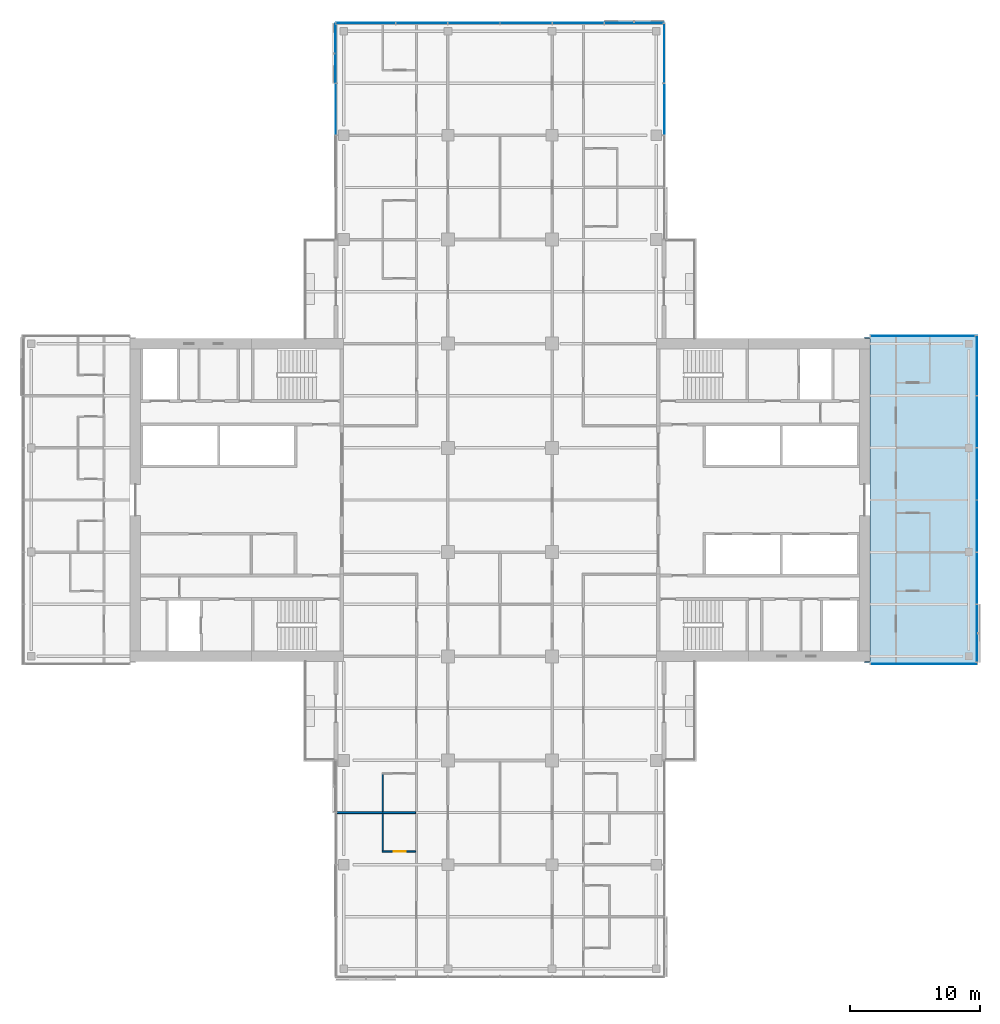
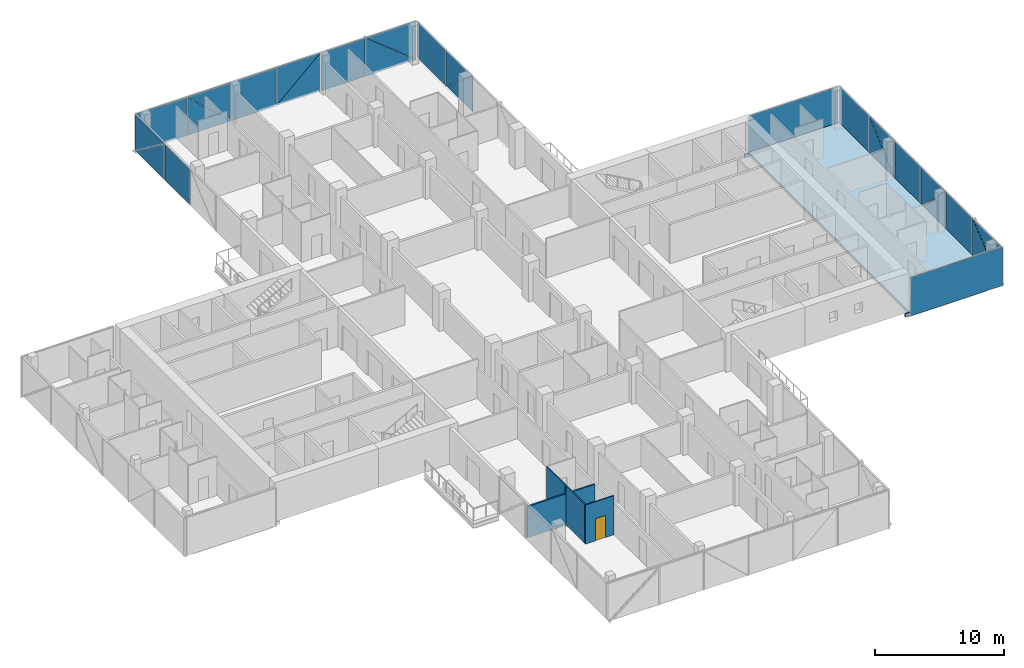
# One storey, part 13 of 25: 26 plates, 4 walls, 1 door, 1 slab, 1 opening, 6 elements without a shape of their own.
"""IFC4 building model written with IfcOpenShell, lengths in metres."""

import ifcopenshell
import ifcopenshell.guid

model = None  # the IFC model being written
_history = None  # IfcOwnerHistory: only IFC2X3 demands one
_inside = {}  # id of a spatial element -> (the spatial element, [elements in it])
_under = {}  # id of a project, library or spatial element -> (it, [spatial elements below it])
_declared = {}  # id of a project -> (the project, [libraries it declares])
_typed = {}  # id of a type object -> (the type object, [elements of that type])
_made_of = {}  # id of a material, layer set ... -> (it, [elements and type objects made of it])


def new_model(schema):
    """Start an empty IFC model of exactly this schema.

    Asked for "IFC4X3", IfcOpenShell would pick the latest addendum, in which some entities
    have other attributes; the version numbers below select the first issue.
    IFC2X3 requires an IfcOwnerHistory on every rooted entity: one is made here for all.
    """
    global model, _history
    if schema == "IFC4X3":
        model = ifcopenshell.file(schema_version=(4, 3, 0, 0))
    else:
        model = ifcopenshell.file(schema=schema)
    _inside.clear()
    _under.clear()
    _declared.clear()
    _typed.clear()
    _made_of.clear()
    _history = None
    if model.schema == "IFC2X3":
        org = make("IfcOrganization", Name="unknown")
        user = make(
            "IfcPersonAndOrganization",
            ThePerson=make("IfcPerson", FamilyName="unknown"),
            TheOrganization=org,
        )
        app = make(
            "IfcApplication",
            ApplicationDeveloper=org,
            Version="unknown",
            ApplicationFullName="unknown",
            ApplicationIdentifier="unknown",
        )
        _history = make(
            "IfcOwnerHistory",
            OwningUser=user,
            OwningApplication=app,
            ChangeAction="ADDED",
            CreationDate=0,
        )
    return model


def make(cls, **values):
    """One entity of the class cls with the attributes given. An attribute that is None is left unset."""
    return model.create_entity(
        cls, **{name: value for name, value in values.items() if value is not None}
    )


def rooted(cls, **values):
    """An entity with a GlobalId (a new one), such as an element, a storey or a relation."""
    return make(cls, GlobalId=ifcopenshell.guid.new(), OwnerHistory=_history, **values)


def si_unit(unit_type, name, prefix=None):
    """IfcSIUnit, for example si_unit("LENGTHUNIT", "METRE", prefix="MILLI")."""
    return make("IfcSIUnit", UnitType=unit_type, Prefix=prefix, Name=name)


def assignment(units):
    """IfcUnitAssignment: the units of a project."""
    return None if units is None else make("IfcUnitAssignment", Units=units)


def point(xyz):
    """IfcCartesianPoint."""
    return None if xyz is None else make("IfcCartesianPoint", Coordinates=xyz)


def direction(xyz):
    """IfcDirection."""
    return None if xyz is None else make("IfcDirection", DirectionRatios=xyz)


def frame(location, z_axis=None, x_axis=None):
    """IfcAxis2Placement3D, a coordinate frame: its origin and axes. An axis left out is left unset."""
    return make(
        "IfcAxis2Placement3D",
        Location=point(location),
        Axis=direction(z_axis),
        RefDirection=direction(x_axis),
    )


def frame_2d(location, x_axis=None):
    """IfcAxis2Placement2D, a coordinate frame in the plane: its origin and x axis."""
    return make(
        "IfcAxis2Placement2D", Location=point(location), RefDirection=direction(x_axis)
    )


def origin():
    """The frame at (0, 0, 0) with its axes left unset."""
    return frame((0.0, 0.0, 0.0))


def place(relative_to, where):
    """IfcLocalPlacement: puts the frame where relative to a parent placement (None: the world)."""
    return make(
        "IfcLocalPlacement", PlacementRelTo=relative_to, RelativePlacement=where
    )


def context(
    kind, dimensions, precision=None, world=None, true_north=None, identifier=None
):
    """IfcGeometricRepresentationContext, for example the 3D "Model" context."""
    return make(
        "IfcGeometricRepresentationContext",
        ContextIdentifier=identifier,
        ContextType=kind,
        CoordinateSpaceDimension=dimensions,
        Precision=precision,
        WorldCoordinateSystem=world,
        TrueNorth=true_north,
    )


def subcontext(parent, identifier, kind, view, scale=None):
    """IfcGeometricRepresentationSubContext, for example "Body" below "Model"."""
    return make(
        "IfcGeometricRepresentationSubContext",
        ContextIdentifier=identifier,
        ContextType=kind,
        ParentContext=parent,
        TargetScale=scale,
        TargetView=view,
    )


def project(units=None, contexts=None):
    """IfcProject with its units and contexts."""
    return rooted(
        "IfcProject",
        Name="project",
        RepresentationContexts=contexts,
        UnitsInContext=assignment(units),
    )


def spatial(cls, under=None, at=None, **own):
    """A site, building, storey or space (cls), placed at a placement, below another one or the project."""
    s = rooted(cls, ObjectPlacement=at, **own)
    if under is not None:
        _under.setdefault(under.id(), (under, []))[1].append(s)
    return s


def polyline(points):
    """IfcPolyline through the points."""
    return make("IfcPolyline", Points=[point(p) for p in points])


def profile(cls, at=None, kind="AREA", **sizes):
    """A parametric profile (cls). Its sizes go by their IFC names, for example OverallWidth=200.0."""
    return make(cls, ProfileType=kind, Position=at, **sizes)


def rectangle(**sizes):
    """IfcRectangleProfileDef."""
    return profile("IfcRectangleProfileDef", **sizes)


def outline(outer, holes=None, kind="AREA"):
    """IfcArbitraryClosedProfileDef: a profile drawn as a closed curve; with holes, ...WithVoids."""
    if holes is None:
        return make("IfcArbitraryClosedProfileDef", ProfileType=kind, OuterCurve=outer)
    return make(
        "IfcArbitraryProfileDefWithVoids",
        ProfileType=kind,
        OuterCurve=outer,
        InnerCurves=holes,
    )


def extrude(swept, where, along, depth):
    """IfcExtrudedAreaSolid: the profile swept, set in the frame where, extruded along a direction by depth."""
    return make(
        "IfcExtrudedAreaSolid",
        SweptArea=swept,
        Position=where,
        ExtrudedDirection=direction(along),
        Depth=depth,
    )


def shape(context_of_items, identifier, shape_type, items):
    """IfcShapeRepresentation: the items that make up one representation, for example the "Body"."""
    return make(
        "IfcShapeRepresentation",
        ContextOfItems=context_of_items,
        RepresentationIdentifier=identifier,
        RepresentationType=shape_type,
        Items=items,
    )


def material(Name=None, Category=None):
    """IfcMaterial."""
    return make("IfcMaterial", Name=Name, Category=Category)


def layer(
    of_material, thickness, ventilated=None, Name=None, Category=None, Priority=None
):
    """IfcMaterialLayer: one layer of a wall or slab, of a material (None: an air gap)."""
    return make(
        "IfcMaterialLayer",
        Material=of_material,
        LayerThickness=thickness,
        IsVentilated=ventilated,
        Name=Name,
        Category=Category,
        Priority=Priority,
    )


def layer_set(layers, Name=None):
    """IfcMaterialLayerSet."""
    return make("IfcMaterialLayerSet", MaterialLayers=layers, LayerSetName=Name)


def made_of(thing, what):
    """Note that an element or type object is made of a material, layer set ...; save() writes the relation."""
    if what is not None:
        _made_of.setdefault(what.id(), (what, []))[1].append(thing)
    return thing


def type_object(cls, material=None, **own):
    """A type object (cls), such as IfcWallType, which elements share."""
    return made_of(rooted(cls, **own), material)


def element(
    cls,
    number,
    at=None,
    inside=None,
    cuts=None,
    type_object=None,
    material=None,
    context=None,
    identifier="Body",
    shape_type=None,
    held_by="IfcProductDefinitionShape",
    body=None,
    shapes=None,
    **own,
):
    """One element of the class cls, such as IfcWall. Its Tag is "e" and its number.

    at: its placement. inside: the storey or other place that contains it. cuts: it is an
    opening in that element (IfcRelVoidsElement). A single representation is given by context,
    identifier, shape_type and body (its items); several are given by shapes. held_by: the class
    of the entity that holds the representations. save() writes the other relations.
    """
    e = rooted(cls, Tag="e%d" % number, ObjectPlacement=at, **own)
    if body is not None:
        shapes = [shape(context, identifier, shape_type, body)]
    if shapes is not None:
        e.Representation = make(held_by, Representations=shapes)
    if inside is not None:
        _inside.setdefault(inside.id(), (inside, []))[1].append(e)
    if cuts is not None:
        rooted(
            "IfcRelVoidsElement", RelatingBuildingElement=cuts, RelatedOpeningElement=e
        )
    if type_object is not None:
        _typed.setdefault(type_object.id(), (type_object, []))[1].append(e)
    return made_of(e, material)


def fill(opening, filler):
    """IfcRelFillsElement: the door or window that sits in an opening."""
    return rooted(
        "IfcRelFillsElement",
        RelatingOpeningElement=opening,
        RelatedBuildingElement=filler,
    )


def aggregate(whole, parts):
    """IfcRelAggregates: a whole, such as a stair, and the parts it consists of."""
    return rooted("IfcRelAggregates", RelatingObject=whole, RelatedObjects=parts)


def save(model, path):
    """Write the relations noted so far, then the file.

    IfcRelAggregates (storeys below a building ...), IfcRelContainedInSpatialStructure (elements
    in a storey), IfcRelDefinesByType, IfcRelAssociatesMaterial and IfcRelDeclares: one each for
    every whole, place, type object, material and project.
    """
    for whole, parts in _under.values():
        aggregate(whole, parts)
    for where, things in _inside.values():
        rooted(
            "IfcRelContainedInSpatialStructure",
            RelatedElements=things,
            RelatingStructure=where,
        )
    for kind, things in _typed.values():
        rooted("IfcRelDefinesByType", RelatedObjects=things, RelatingType=kind)
    for what, things in _made_of.values():
        rooted("IfcRelAssociatesMaterial", RelatedObjects=things, RelatingMaterial=what)
    for by, libraries in _declared.values():
        rooted("IfcRelDeclares", RelatingContext=by, RelatedDefinitions=libraries)
    model.write(path)


model = new_model("IFC4")

# Units and contexts
model_context = context("Model", 3, precision=1e-05, world=origin(), true_north=direction((0.0, 1.0)))
body_context = subcontext(model_context, "Body", "Model", "MODEL_VIEW")
ifc_project = project(units=[si_unit("LENGTHUNIT", "METRE"), si_unit("AREAUNIT", "SQUARE_METRE"), si_unit("VOLUMEUNIT", "CUBIC_METRE"), si_unit("PLANEANGLEUNIT", "RADIAN"), si_unit("MASSUNIT", "GRAM", prefix="KILO")], contexts=[model_context])

# Site, building, storey
site_placement = place(None, origin())
site = spatial("IfcSite", under=ifc_project, at=site_placement, CompositionType="ELEMENT")
building_placement = place(site_placement, origin())
building = spatial("IfcBuilding", under=site, at=building_placement, Name="Crosswind Convention Tower", CompositionType="ELEMENT")
storey_placement = place(building_placement, frame((0.0, 0.0, 97.89990234375)))
storey = spatial("IfcBuildingStorey", under=building, at=storey_placement, Name="L19", CompositionType="ELEMENT", Elevation=97.89990234375)

# Slab
ifc_material_1 = material(Name="Concrete C40/50", Category="concrete")
ifc_layer_1 = layer(ifc_material_1, 0.280029296875)
ifc_layer_set_1 = layer_set([ifc_layer_1], Name="Concrete C40/50")
slab_type = type_object("IfcSlabType", Name="Composite floor slab 280", PredefinedType="FLOOR", material=ifc_layer_set_1)
slab_placement = place(storey_placement, frame((0.0, 0.0, -0.27978515625)))
element("IfcSlab", 1, at=slab_placement, inside=storey, type_object=slab_type, Name="Floor slab L19 part 3", PredefinedType="FLOOR", context=body_context, shape_type="SweptSolid", body=[
    extrude(outline(polyline([(153.0, 112.5), (161.0, 112.5), (161.5, 112.5), (161.5, 112.0), (161.5, 88.0), (161.5, 87.5), (161.0, 87.5), (153.0, 87.5), (153.0, 87.60009765625), (153.39990234375, 87.60009765625), (153.39990234375, 112.39990234375), (153.0, 112.39990234375), (153.0, 112.5)])), origin(), (0.0, 0.0, 1.0), 0.27978515625),
])

# Curtain wall, plate
ifc_material_2 = material(Name="Aluminium unitised curtain wall", Category="aluminium")
curtain_wall_type_1 = type_object("IfcCurtainWallType", Name="CORE END SLOT WALL 160", PredefinedType="USERDEFINED", material=ifc_material_2)
curtain_wall_1_placement = place(storey_placement, origin())
curtain_wall_1 = element("IfcCurtainWall", 2, at=curtain_wall_1_placement, inside=storey, type_object=curtain_wall_type_1, Name="CW6 L19 E-N.1-1 slot", ObjectType="UNITISED", PredefinedType="USERDEFINED")
ifc_material_3 = material(Name="Laminated insulating glass unit", Category="glass")
ifc_layer_2 = layer(ifc_material_3, 0.02587890625)
ifc_layer_set_2 = layer_set([ifc_layer_2], Name="TRIANGULAR GLASS PANEL 26")
plate_type_1 = type_object("IfcPlateType", Name="TRIANGULAR GLASS PANEL 26", PredefinedType="CURTAIN_PANEL", material=ifc_layer_set_2)
plate_1_placement = place(storey_placement, frame((161.449951171875, 112.606689453125, -0.27978515625), z_axis=(0.0, 0.999999919464, 0.00040133776), x_axis=(-1.0, 0.0, 0.0)))
plate_1 = element("IfcPlate", 3, at=plate_1_placement, type_object=plate_type_1, Name="CW6 panel 1.1", PredefinedType="CURTAIN_PANEL", context=body_context, shape_type="SweptSolid", body=[
    extrude(outline(polyline([(0.0, 0.0), (8.0, 0.0), (8.0, 3.6499026376985664), (0.0, 3.6499026376985664), (0.0, 0.0)])), origin(), (0.0, 0.0, -1.0), 0.02587890625),
])
aggregate(curtain_wall_1, [plate_1])

curtain_wall_2_placement = place(storey_placement, origin())
curtain_wall_2 = element("IfcCurtainWall", 4, at=curtain_wall_2_placement, inside=storey, type_object=curtain_wall_type_1, Name="CW6 L19 E-S.2-1 slot", ObjectType="UNITISED", PredefinedType="USERDEFINED")
plate_2_placement = place(storey_placement, frame((153.449951171875, 87.393310546875, -0.27978515625), z_axis=(0.0, -0.999999919464, 0.00040133776), x_axis=(1.0, 0.0, 0.0)))
plate_2 = element("IfcPlate", 5, at=plate_2_placement, type_object=plate_type_1, Name="CW6 panel 1.1", PredefinedType="CURTAIN_PANEL", context=body_context, shape_type="SweptSolid", body=[
    extrude(outline(polyline([(0.0, 0.0), (8.199951171875, 0.0), (8.199951171875, 3.6499026376985664), (0.0, 3.6499026376985664), (0.0, 0.0)])), origin(), (0.0, 0.0, -1.0), 0.02587890625),
])
aggregate(curtain_wall_2, [plate_2])

# Curtain wall, plates
curtain_wall_type_2 = type_object("IfcCurtainWallType", Name="HOTEL UNITISED WALL 200", PredefinedType="USERDEFINED", material=ifc_material_2)
curtain_wall_3_placement = place(storey_placement, origin())
curtain_wall_3 = element("IfcCurtainWall", 6, at=curtain_wall_3_placement, inside=storey, type_object=curtain_wall_type_2, Name="CW2 L19 E-TIP 1", ObjectType="UNITISED", PredefinedType="USERDEFINED")
ifc_layer_3 = layer(ifc_material_3, 0.028076171875)
ifc_layer_set_3 = layer_set([ifc_layer_3], Name="TRIANGULAR GLASS PANEL 28")
plate_type_2 = type_object("IfcPlateType", Name="TRIANGULAR GLASS PANEL 28", PredefinedType="CURTAIN_PANEL", material=ifc_layer_set_3)
plate_3_placement = place(storey_placement, frame((161.628662109375, 91.967529296875, -0.27978515625), z_axis=(0.999999918211, 0.0, 0.000404448905), x_axis=(-0.000404448905, 0.0, 0.999999918211)))
plate_3 = element("IfcPlate", 7, at=plate_3_placement, type_object=plate_type_2, Name="CW2 panel 1.1", PredefinedType="CURTAIN_PANEL", context=body_context, shape_type="SweptSolid", body=[
    extrude(outline(polyline([(0.0, 0.0), (3.621826468102238, 0.0), (0.0, 4.38671875), (0.0, 0.0)])), origin(), (0.0, 0.0, -1.0), 0.028076171875),
])
plate_4_placement = place(storey_placement, frame((161.6572265625, 87.56494140625, 3.35498046875), z_axis=(0.999999918211, 0.0, 0.000404448905), x_axis=(0.000404448905, 0.0, -0.999999918211)))
plate_4 = element("IfcPlate", 8, at=plate_4_placement, type_object=plate_type_2, Name="CW2 panel 1.2", PredefinedType="CURTAIN_PANEL", context=body_context, shape_type="SweptSolid", body=[
    extrude(outline(polyline([(0.0, 0.0), (3.621826468102238, 0.0), (0.0, 4.386962890625), (0.0, 0.0)])), origin(), (0.0, 0.0, -1.0), 0.028076171875),
])
plate_5_placement = place(storey_placement, frame((161.628662109375, 92.032470703125, -0.27978515625), z_axis=(0.999999918792, 0.0, 0.000403009102), x_axis=(0.0, 1.0, 0.0)))
plate_5 = element("IfcPlate", 9, at=plate_5_placement, type_object=plate_type_2, Name="CW2 panel 2.1", PredefinedType="CURTAIN_PANEL", context=body_context, shape_type="SweptSolid", body=[
    extrude(outline(polyline([(0.0, 0.0), (3.93505859375, 0.0), (3.93505859375, 3.6347659201726943), (0.0, 3.6347659201726943), (0.0, 0.0)])), origin(), (0.0, 0.0, -1.0), 0.028076171875),
])
plate_6_placement = place(storey_placement, frame((161.627197265625, 99.967529296875, 3.35498046875), z_axis=(0.999999918188, 0.0, 0.000404503439), x_axis=(0.0, -1.0, 0.0)))
plate_6 = element("IfcPlate", 10, at=plate_6_placement, type_object=plate_type_2, Name="CW2 panel 3.1", PredefinedType="CURTAIN_PANEL", context=body_context, shape_type="SweptSolid", body=[
    extrude(outline(polyline([(0.0, 0.0), (3.92041015625, 0.0), (0.0, 3.6213381868921792), (0.0, 0.0)])), origin(), (0.0, 0.0, -1.0), 0.028076171875),
])
plate_7_placement = place(storey_placement, frame((161.65869140625, 96.032470703125, -0.27978515625), z_axis=(0.999999918188, 0.0, 0.000404503439), x_axis=(0.0, 1.0, 0.0)))
plate_7 = element("IfcPlate", 11, at=plate_7_placement, type_object=plate_type_2, Name="CW2 panel 3.2", PredefinedType="CURTAIN_PANEL", context=body_context, shape_type="SweptSolid", body=[
    extrude(outline(polyline([(0.0, 0.0), (3.92041015625, 0.0), (0.0, 3.6213381868921792), (0.0, 0.0)])), origin(), (0.0, 0.0, -1.0), 0.028076171875),
])
plate_8_placement = place(storey_placement, frame((161.628662109375, 100.032470703125, -0.27978515625), z_axis=(0.999999918792, 0.0, 0.000403009102), x_axis=(0.0, 1.0, 0.0)))
plate_8 = element("IfcPlate", 12, at=plate_8_placement, type_object=plate_type_2, Name="CW2 panel 4.1", PredefinedType="CURTAIN_PANEL", context=body_context, shape_type="SweptSolid", body=[
    extrude(outline(polyline([(0.0, 0.0), (3.93505859375, 0.0), (3.93505859375, 3.6347659201726943), (0.0, 3.6347659201726943), (0.0, 0.0)])), origin(), (0.0, 0.0, -1.0), 0.028076171875),
])
plate_9_placement = place(storey_placement, frame((161.628662109375, 107.967529296875, -0.27978515625), z_axis=(0.999999918188, 0.0, 0.000404503439), x_axis=(-0.000404503439, 0.0, 0.999999918188)))
plate_9 = element("IfcPlate", 13, at=plate_9_placement, type_object=plate_type_2, Name="CW2 panel 5.1", PredefinedType="CURTAIN_PANEL", context=body_context, shape_type="SweptSolid", body=[
    extrude(outline(polyline([(0.0, 0.0), (3.6213381868921797, 0.0), (0.0, 3.92041015625), (0.0, 0.0)])), origin(), (0.0, 0.0, -1.0), 0.028076171875),
])
plate_10_placement = place(storey_placement, frame((161.6572265625, 104.032470703125, 3.35498046875), z_axis=(0.999999918188, 0.0, 0.000404503439), x_axis=(0.000404503439, 0.0, -0.999999918188)))
plate_10 = element("IfcPlate", 14, at=plate_10_placement, type_object=plate_type_2, Name="CW2 panel 5.2", PredefinedType="CURTAIN_PANEL", context=body_context, shape_type="SweptSolid", body=[
    extrude(outline(polyline([(0.0, 0.0), (3.6213381868921797, 0.0), (0.0, 3.92041015625), (0.0, 0.0)])), origin(), (0.0, 0.0, -1.0), 0.028076171875),
])
plate_11_placement = place(storey_placement, frame((161.628662109375, 108.032470703125, -0.27978515625), z_axis=(0.999999918792, 0.0, 0.000403009102), x_axis=(0.0, 1.0, 0.0)))
plate_11 = element("IfcPlate", 15, at=plate_11_placement, type_object=plate_type_2, Name="CW2 panel 6.1", PredefinedType="CURTAIN_PANEL", context=body_context, shape_type="SweptSolid", body=[
    extrude(outline(polyline([(0.0, 0.0), (4.5625, 0.0), (4.5625, 3.6347659201726947), (0.0, 3.6347659201726947), (0.0, 0.0)])), origin(), (0.0, 0.0, -1.0), 0.028076171875),
])
aggregate(curtain_wall_3, [plate_3, plate_4, plate_5, plate_6, plate_7, plate_8, plate_9, plate_10, plate_11])

curtain_wall_4_placement = place(storey_placement, origin())
curtain_wall_4 = element("IfcCurtainWall", 16, at=curtain_wall_4_placement, inside=storey, type_object=curtain_wall_type_2, Name="CW2 L19 N-E 1", ObjectType="UNITISED", PredefinedType="USERDEFINED")
plate_12_placement = place(storey_placement, frame((137.62744140625, 131.967529296875, 3.35498046875), z_axis=(0.999999935042, 0.0, 0.00036043827), x_axis=(0.0, -1.0, 0.0)))
plate_12 = element("IfcPlate", 17, at=plate_12_placement, type_object=plate_type_2, Name="CW2 panel 3.1", PredefinedType="CURTAIN_PANEL", context=body_context, shape_type="SweptSolid", body=[
    extrude(outline(polyline([(0.0, 0.0), (3.919677734375, 0.0), (0.0, 3.3867189699940683), (0.0, 0.0)])), origin(), (0.0, 0.0, -1.0), 0.028076171875),
])
plate_13_placement = place(storey_placement, frame((137.65869140625, 128.032470703125, -0.044921875), z_axis=(0.999999906461, 0.0, 0.000432525911), x_axis=(0.0, 1.0, 0.0)))
plate_13 = element("IfcPlate", 18, at=plate_13_placement, type_object=plate_type_2, Name="CW2 panel 3.2", PredefinedType="CURTAIN_PANEL", context=body_context, shape_type="SweptSolid", body=[
    extrude(outline(polyline([(0.0, 0.0), (3.919677734375, 0.0), (0.0, 3.386719066791454), (0.0, 0.0)])), origin(), (0.0, 0.0, -1.0), 0.028076171875),
])
plate_14_placement = place(storey_placement, frame((137.628662109375, 132.032470703125, -0.044921875), z_axis=(0.999999935545, 0.0, 0.00035904062), x_axis=(0.0, 1.0, 0.0)))
plate_14 = element("IfcPlate", 19, at=plate_14_placement, type_object=plate_type_2, Name="CW2 panel 4.1", PredefinedType="CURTAIN_PANEL", context=body_context, shape_type="SweptSolid", body=[
    extrude(outline(polyline([(0.0, 0.0), (4.534912109375, 0.0), (4.534912109375, 3.3999025628910107), (0.0, 3.3999025628910107), (0.0, 0.0)])), origin(), (0.0, 0.0, -1.0), 0.028076171875),
])
aggregate(curtain_wall_4, [plate_12, plate_13, plate_14])

curtain_wall_5_placement = place(storey_placement, origin())
curtain_wall_5 = element("IfcCurtainWall", 20, at=curtain_wall_5_placement, inside=storey, type_object=curtain_wall_type_2, Name="CW2 L19 N-TIP 1", ObjectType="UNITISED", PredefinedType="USERDEFINED")
plate_15_placement = place(storey_placement, frame((133.032470703125, 136.628662109375, -0.27978515625), z_axis=(0.0, 0.999999918222, 0.000404421644), x_axis=(0.0, -0.000404421644, 0.999999918222)))
plate_15 = element("IfcPlate", 21, at=plate_15_placement, type_object=plate_type_2, Name="CW2 panel 1.1", PredefinedType="CURTAIN_PANEL", context=body_context, shape_type="SweptSolid", body=[
    extrude(outline(polyline([(0.0, 0.0), (3.6220706087072707, 0.0), (0.0, 4.51904296875), (0.0, 0.0)])), origin(), (0.0, 0.0, -1.0), 0.028076171875),
])
plate_16_placement = place(storey_placement, frame((137.5673828125, 136.6572265625, 3.35498046875), z_axis=(0.0, 0.999999918222, 0.000404421644), x_axis=(0.0, 0.000404421644, -0.999999918222)))
plate_16 = element("IfcPlate", 22, at=plate_16_placement, type_object=plate_type_2, Name="CW2 panel 1.2", PredefinedType="CURTAIN_PANEL", context=body_context, shape_type="SweptSolid", body=[
    extrude(outline(polyline([(0.0, 0.0), (3.6220706087072707, 0.0), (0.0, 4.518798828125), (0.0, 0.0)])), origin(), (0.0, 0.0, -1.0), 0.028076171875),
])
plate_17_placement = place(storey_placement, frame((132.967529296875, 136.628662109375, -0.27978515625), z_axis=(0.0, 0.999999918792, 0.000403009102), x_axis=(-1.0, 0.0, 0.0)))
plate_17 = element("IfcPlate", 23, at=plate_17_placement, type_object=plate_type_2, Name="CW2 panel 2.1", PredefinedType="CURTAIN_PANEL", context=body_context, shape_type="SweptSolid", body=[
    extrude(outline(polyline([(0.0, 0.0), (3.93505859375, 0.0), (3.93505859375, 3.6347659201726943), (0.0, 3.6347659201726943), (0.0, 0.0)])), origin(), (0.0, 0.0, -1.0), 0.028076171875),
])
plate_18_placement = place(storey_placement, frame((125.032470703125, 136.627197265625, 3.35498046875), z_axis=(0.0, 0.999999918188, 0.000404503439), x_axis=(1.0, 0.0, 0.0)))
plate_18 = element("IfcPlate", 24, at=plate_18_placement, type_object=plate_type_2, Name="CW2 panel 3.1", PredefinedType="CURTAIN_PANEL", context=body_context, shape_type="SweptSolid", body=[
    extrude(outline(polyline([(0.0, 0.0), (3.92041015625, 0.0), (0.0, 3.6213381868921792), (0.0, 0.0)])), origin(), (0.0, 0.0, -1.0), 0.028076171875),
])
plate_19_placement = place(storey_placement, frame((128.967529296875, 136.65869140625, -0.27978515625), z_axis=(0.0, 0.999999918188, 0.000404503439), x_axis=(-1.0, 0.0, 0.0)))
plate_19 = element("IfcPlate", 25, at=plate_19_placement, type_object=plate_type_2, Name="CW2 panel 3.2", PredefinedType="CURTAIN_PANEL", context=body_context, shape_type="SweptSolid", body=[
    extrude(outline(polyline([(0.0, 0.0), (3.92041015625, 0.0), (0.0, 3.6213381868921792), (0.0, 0.0)])), origin(), (0.0, 0.0, -1.0), 0.028076171875),
])
plate_20_placement = place(storey_placement, frame((124.967529296875, 136.628662109375, -0.27978515625), z_axis=(0.0, 0.999999918792, 0.000403009102), x_axis=(-1.0, 0.0, 0.0)))
plate_20 = element("IfcPlate", 26, at=plate_20_placement, type_object=plate_type_2, Name="CW2 panel 4.1", PredefinedType="CURTAIN_PANEL", context=body_context, shape_type="SweptSolid", body=[
    extrude(outline(polyline([(0.0, 0.0), (3.93505859375, 0.0), (3.93505859375, 3.6347659201726943), (0.0, 3.6347659201726943), (0.0, 0.0)])), origin(), (0.0, 0.0, -1.0), 0.028076171875),
])
plate_21_placement = place(storey_placement, frame((117.032470703125, 136.628662109375, -0.27978515625), z_axis=(0.0, 0.999999918188, 0.000404503439), x_axis=(0.0, -0.000404503439, 0.999999918188)))
plate_21 = element("IfcPlate", 27, at=plate_21_placement, type_object=plate_type_2, Name="CW2 panel 5.1", PredefinedType="CURTAIN_PANEL", context=body_context, shape_type="SweptSolid", body=[
    extrude(outline(polyline([(0.0, 0.0), (3.6213381868921797, 0.0), (0.0, 3.92041015625), (0.0, 0.0)])), origin(), (0.0, 0.0, -1.0), 0.028076171875),
])
plate_22_placement = place(storey_placement, frame((120.967529296875, 136.6572265625, 3.35498046875), z_axis=(0.0, 0.999999918188, 0.000404503439), x_axis=(0.0, 0.000404503439, -0.999999918188)))
plate_22 = element("IfcPlate", 28, at=plate_22_placement, type_object=plate_type_2, Name="CW2 panel 5.2", PredefinedType="CURTAIN_PANEL", context=body_context, shape_type="SweptSolid", body=[
    extrude(outline(polyline([(0.0, 0.0), (3.6213381868921797, 0.0), (0.0, 3.92041015625), (0.0, 0.0)])), origin(), (0.0, 0.0, -1.0), 0.028076171875),
])
plate_23_placement = place(storey_placement, frame((116.967529296875, 136.628662109375, -0.27978515625), z_axis=(0.0, 0.999999918792, 0.000403009102), x_axis=(-1.0, 0.0, 0.0)))
plate_23 = element("IfcPlate", 29, at=plate_23_placement, type_object=plate_type_2, Name="CW2 panel 6.1", PredefinedType="CURTAIN_PANEL", context=body_context, shape_type="SweptSolid", body=[
    extrude(outline(polyline([(0.0, 0.0), (4.534912109375, 0.0), (4.534912109375, 3.6347659201726943), (0.0, 3.6347659201726943), (0.0, 0.0)])), origin(), (0.0, 0.0, -1.0), 0.028076171875),
])
aggregate(curtain_wall_5, [plate_15, plate_16, plate_17, plate_18, plate_19, plate_20, plate_21, plate_22, plate_23])

curtain_wall_6_placement = place(storey_placement, origin())
curtain_wall_6 = element("IfcCurtainWall", 30, at=curtain_wall_6_placement, inside=storey, type_object=curtain_wall_type_2, Name="CW2 L19 N-W 1", ObjectType="UNITISED", PredefinedType="USERDEFINED")
plate_24_placement = place(storey_placement, frame((112.371337890625, 132.032470703125, -0.044921875), z_axis=(-0.99999993507, 0.0, 0.000360360337), x_axis=(0.000360360337, 0.0, 0.99999993507)))
plate_24 = element("IfcPlate", 31, at=plate_24_placement, type_object=plate_type_2, Name="CW2 panel 1.1", PredefinedType="CURTAIN_PANEL", context=body_context, shape_type="SweptSolid", body=[
    extrude(outline(polyline([(0.0, 0.0), (3.387451391821502, 0.0), (0.0, 4.518310546875), (0.0, 0.0)])), origin(), (0.0, 0.0, -1.0), 0.028076171875),
])
plate_25_placement = place(storey_placement, frame((112.3427734375, 136.5673828125, 3.35498046875), z_axis=(-0.999999906501, 0.0, 0.000432432392), x_axis=(-0.000432432392, 0.0, -0.999999906501)))
plate_25 = element("IfcPlate", 32, at=plate_25_placement, type_object=plate_type_2, Name="CW2 panel 1.2", PredefinedType="CURTAIN_PANEL", context=body_context, shape_type="SweptSolid", body=[
    extrude(outline(polyline([(0.0, 0.0), (3.3874514885979585, 0.0), (0.0, 4.518310546875), (0.0, 0.0)])), origin(), (0.0, 0.0, -1.0), 0.028076171875),
])
plate_26_placement = place(storey_placement, frame((112.371337890625, 131.967529296875, -0.044921875), z_axis=(-0.999999935545, 0.0, 0.00035904062), x_axis=(0.0, -1.0, 0.0)))
plate_26 = element("IfcPlate", 33, at=plate_26_placement, type_object=plate_type_2, Name="CW2 panel 2.1", PredefinedType="CURTAIN_PANEL", context=body_context, shape_type="SweptSolid", body=[
    extrude(outline(polyline([(0.0, 0.0), (3.93505859375, 0.0), (3.93505859375, 3.3999025628910107), (0.0, 3.3999025628910107), (0.0, 0.0)])), origin(), (0.0, 0.0, -1.0), 0.028076171875),
])
aggregate(curtain_wall_6, [plate_24, plate_25, plate_26])

# Wall
ifc_material_4 = material(Name="Acoustic plasterboard partition", Category="gypsum")
ifc_layer_4 = layer(ifc_material_4, 0.14990234375)
ifc_layer_set_4 = layer_set([ifc_layer_4], Name="GUEST ROOM WALL 150")
wall_type_1 = type_object("IfcWallType", Name="GUEST ROOM WALL 150", PredefinedType="PARTITIONING", material=ifc_layer_set_4)
wall_1_placement = place(storey_placement, frame((112.5, 76.0, 0.0), z_axis=(0.0, 0.0, 1.0), x_axis=(1.0, 0.0, 0.0)))
element("IfcWall", 34, at=wall_1_placement, inside=storey, type_object=wall_type_1, Name="Guest Room Wall 8", PredefinedType="PARTITIONING", context=body_context, shape_type="SweptSolid", body=[
    extrude(rectangle(XDim=6.02490234375, YDim=0.14990234375, at=frame_2d((3.012451171875, 0.0))), origin(), (0.0, 0.0, 1.0), 2.962890625),
])

# Wall, opening, door
ifc_material_5 = material(Name="Water-resistant plasterboard partition", Category="gypsum")
ifc_layer_5 = layer(ifc_material_5, 0.10009765625)
ifc_layer_set_5 = layer_set([ifc_layer_5], Name="WET ROOM PARTITION 100")
wall_type_2 = type_object("IfcWallType", Name="WET ROOM PARTITION 100", PredefinedType="PLUMBINGWALL", material=ifc_layer_set_5)
wall_2_placement = place(storey_placement, frame((115.949951171875, 73.0, 0.0), z_axis=(0.0, 0.0, 1.0), x_axis=(1.0, 0.0, 0.0)))
wall_2 = element("IfcWall", 35, at=wall_2_placement, inside=storey, type_object=wall_type_2, Name="Wet Room Partition 6", PredefinedType="PLUMBINGWALL", context=body_context, shape_type="SweptSolid", body=[
    extrude(rectangle(XDim=2.574951171875, YDim=0.10009765625, at=frame_2d((1.28759765625, 0.0))), origin(), (0.0, 0.0, 1.0), 3.7001953125),
])
opening_placement = place(wall_2_placement, frame((0.89990234375, 0.0, 0.0)))
opening = element("IfcOpeningElement", 36, at=opening_placement, cuts=wall_2, Name="Opening 19.026", PredefinedType="OPENING", context=body_context, shape_type="SweptSolid", body=[
    extrude(rectangle(XDim=0.89990234375, YDim=2.10009765625, at=frame_2d((0.449951171875, 1.050048828125))), frame((0.0, 0.06005859375, 0.0), z_axis=(0.0, -1.0, 0.0), x_axis=(1.0, 0.0, 0.0)), (0.0, 0.0, 1.0), 0.1201171875),
])
ifc_material_6 = material(Name="Timber door", Category="wood")
door_type = type_object("IfcDoorType", Name="EN-SUITE DOOR 900X2100", OperationType="NOTDEFINED", PredefinedType="DOOR", material=ifc_material_6)
door_placement = place(opening_placement, origin())
door = element("IfcDoor", 37, at=door_placement, inside=storey, type_object=door_type, Name="Door 19.026", ObjectType="D2", OperationType="SINGLE_SWING_RIGHT", OverallHeight=2.10009765625, OverallWidth=0.89990234375, PredefinedType="DOOR", context=body_context, shape_type="SweptSolid", body=[
    extrude(rectangle(XDim=0.89990234375, YDim=2.10009765625, at=frame_2d((0.449951171875, 1.050048828125))), frame((0.0, 0.02490234375, 0.0), z_axis=(0.0, -1.0, 0.0), x_axis=(1.0, 0.0, 0.0)), (0.0, 0.0, 1.0), 0.050048828125),
])
fill(opening, door)

# Walls
for number, where, z_axis, x_axis, name in (
    (38, (116.0, 73.050048828125, 0.0), (0.0, 0.0, 1.0), (0.0, 1.0, 0.0), "Wet Room Partition 57"),
    (39, (116.0, 76.074951171875, 0.0), (0.0, 0.0, 1.0), (0.0, 1.0, 0.0), "Wet Room Partition 58"),
):
    element("IfcWall", number, at=place(storey_placement, frame(where, z_axis=z_axis, x_axis=x_axis)), inside=storey, type_object=wall_type_2, Name=name, PredefinedType="PLUMBINGWALL", context=body_context, shape_type="SweptSolid", body=[
        extrude(rectangle(XDim=2.875, YDim=0.10009765625, at=frame_2d((1.4375, 0.0))), origin(), (0.0, 0.0, 1.0), 3.7001953125),
    ])

save(model, "model.ifc")
